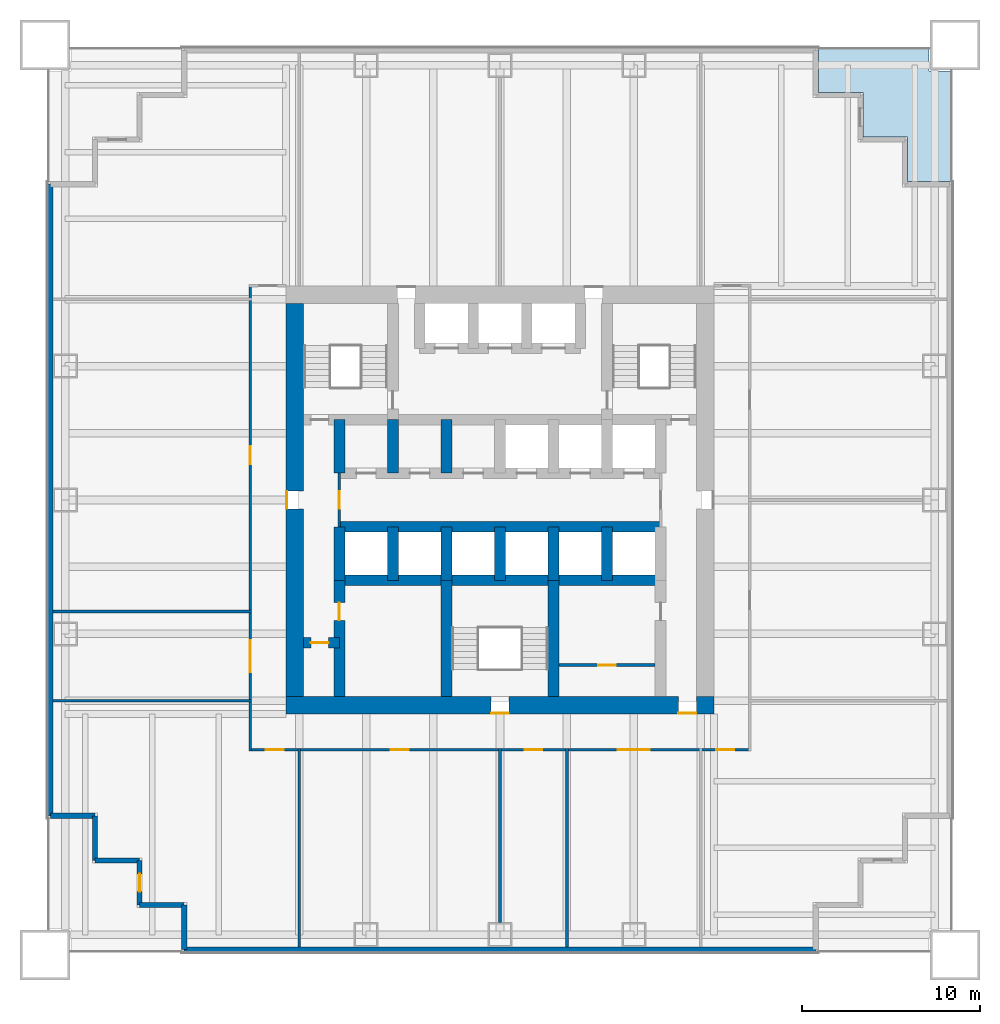
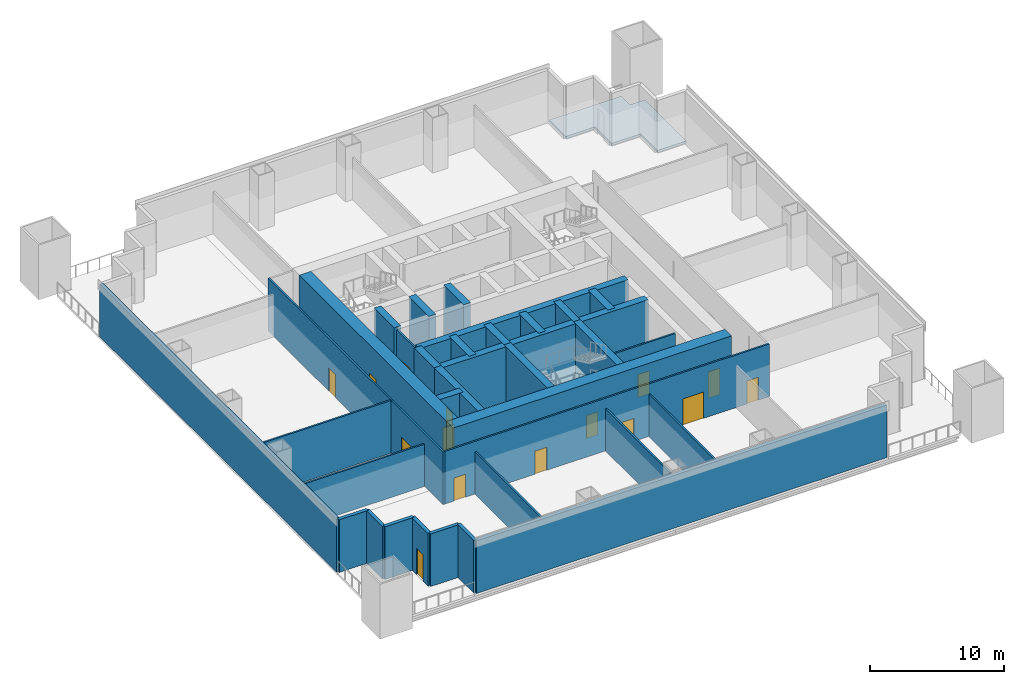
# One storey, part 2 of 6: 34 walls, 15 doors, 1 slab, 15 openings.
"""IFC4 building model written with IfcOpenShell, lengths in metres."""

from ifc_helpers import new_model, si_unit, direction, frame, frame_2d, origin, place, context, subcontext, project, spatial, polyline, rectangle, outline, extrude, material, layer, layer_set, type_object, element, fill, save


model = new_model("IFC4")

# Units and contexts
model_context = context("Model", 3, precision=1e-05, world=origin(), true_north=direction((0.0, 1.0)))
body_context = subcontext(model_context, "Body", "Model", "MODEL_VIEW")
ifc_project = project(units=[si_unit("LENGTHUNIT", "METRE"), si_unit("AREAUNIT", "SQUARE_METRE"), si_unit("VOLUMEUNIT", "CUBIC_METRE"), si_unit("PLANEANGLEUNIT", "RADIAN"), si_unit("MASSUNIT", "GRAM", prefix="KILO")], contexts=[model_context])

# Site, building, storey
site_placement = place(None, origin())
site = spatial("IfcSite", under=ifc_project, at=site_placement, CompositionType="ELEMENT")
building_placement = place(site_placement, origin())
building = spatial("IfcBuilding", under=site, at=building_placement, Name="Tarangal Relay Tower", CompositionType="ELEMENT")
storey_placement = place(building_placement, frame((0.0, 0.0, 63.39990234375)))
storey = spatial("IfcBuildingStorey", under=building, at=storey_placement, Name="L12", CompositionType="ELEMENT", Elevation=63.39990234375)

# Slab
ifc_material_1 = material(Name="Concrete fc' 35 MPa", Category="concrete")
ifc_layer_1 = layer(ifc_material_1, 0.199951171875)
ifc_layer_set_1 = layer_set([ifc_layer_1], Name="Terrace slab 200")
slab_type = type_object("IfcSlabType", Name="Terrace slab 200", PredefinedType="FLOOR", material=ifc_layer_set_1)
slab_placement = place(storey_placement, frame((0.0, 0.0, -0.199951171875)))
element("IfcSlab", 1, at=slab_placement, inside=storey, type_object=slab_type, Name="Corner terrace NE L12", PredefinedType="FLOOR", context=body_context, shape_type="SweptSolid", body=[
    extrude(outline(polyline([(17.85009765625, 25.35009765625), (17.85009765625, 22.85009765625), (20.35009765625, 22.85009765625), (20.35009765625, 20.35009765625), (22.85009765625, 20.35009765625), (22.85009765625, 17.85009765625), (25.35009765625, 17.85009765625), (25.35009765625, 24.050048828125), (24.050048828125, 24.050048828125), (24.050048828125, 25.35009765625), (17.85009765625, 25.35009765625)])), origin(), (0.0, 0.0, 1.0), 0.199951171875),
])

# Walls
ifc_material_2 = material(Name="Concrete fc' 60 MPa", Category="concrete")
ifc_layer_2 = layer(ifc_material_2, 0.60009765625)
ifc_layer_set_2 = layer_set([ifc_layer_2], Name="Core inner wall 600")
wall_type_1 = type_object("IfcWallType", Name="Core inner wall 600", PredefinedType="SHEAR", material=ifc_layer_set_2)
for number, where, z_axis, x_axis, name in (
    (2, (-9.0, -1.5, 0.0), (0.0, 0.0, 1.0), (1.0, 0.0, 0.0), "Core wall YM15 L12"),
    (3, (-9.0, -4.5, 0.0), (0.0, 0.0, 1.0), (1.0, 0.0, 0.0), "Core wall YM45 L12"),
):
    element("IfcWall", number, at=place(storey_placement, frame(where, z_axis=z_axis, x_axis=x_axis)), inside=storey, type_object=wall_type_1, Name=name, PredefinedType="SHEAR", context=body_context, shape_type="SweptSolid", body=[
        extrude(rectangle(XDim=18.0, YDim=0.60009765625, at=frame_2d((9.0, 0.0))), origin(), (0.0, 0.0, 1.0), 5.0),
    ])

# Wall, opening, door
wall_1_placement = place(storey_placement, frame((-11.0, -8.0, 0.0), z_axis=(0.0, 0.0, 1.0), x_axis=(1.0, 0.0, 0.0)))
wall_1 = element("IfcWall", 4, at=wall_1_placement, inside=storey, type_object=wall_type_1, Name="Core wall YM8 L12", PredefinedType="SHEAR", context=body_context, shape_type="SweptSolid", body=[
    extrude(rectangle(XDim=2.0, YDim=0.60009765625, at=frame_2d((1.0, 0.0))), origin(), (0.0, 0.0, 1.0), 5.0),
])
opening_1_placement = place(wall_1_placement, frame((0.39990234375, 0.0, 0.0)))
opening_1 = element("IfcOpeningElement", 5, at=opening_1_placement, cuts=wall_1, Name="Opening D1", PredefinedType="OPENING", context=body_context, shape_type="SweptSolid", body=[
    extrude(rectangle(XDim=1.0, YDim=2.10009765625, at=frame_2d((0.5, 1.050048828125))), frame((0.0, 0.31005859375, 0.0), z_axis=(0.0, -1.0, 0.0), x_axis=(1.0, 0.0, 0.0)), (0.0, 0.0, 1.0), 0.6201171875),
])
ifc_material_3 = material(Name="Hardwood door", Category="wood")
door_type_1 = type_object("IfcDoorType", Name="WC door 1000 x 2100", OperationType="SINGLE_SWING_LEFT", PredefinedType="DOOR", material=ifc_material_3)
door_1_placement = place(opening_1_placement, origin())
door_1 = element("IfcDoor", 6, at=door_1_placement, inside=storey, type_object=door_type_1, Name="Accessible WC door L12", OperationType="SINGLE_SWING_LEFT", OverallHeight=2.10009765625, OverallWidth=1.0, PredefinedType="DOOR", context=body_context, shape_type="SweptSolid", body=[
    extrude(rectangle(XDim=1.0, YDim=2.10009765625, at=frame_2d((0.5, 1.050048828125))), frame((0.0, 0.02490234375, 0.0), z_axis=(0.0, -1.0, 0.0), x_axis=(1.0, 0.0, 0.0)), (0.0, 0.0, 1.0), 0.050048828125),
])
fill(opening_1, door_1)

# Walls
for number, where, z_axis, x_axis, name in (
    (7, (-9.0, 1.5, 0.0), (0.0, 0.0, 1.0), (0.0, 1.0, 0.0), "Core wall XM9N L12"),
    (8, (-9.0, -4.5, 0.0), (0.0, 0.0, 1.0), (0.0, 1.0, 0.0), "Core wall XM9S L12"),
    (9, (-6.0, 1.5, 0.0), (0.0, 0.0, 1.0), (0.0, 1.0, 0.0), "Core wall XM6N L12"),
    (10, (-3.0, 1.5, 0.0), (0.0, 0.0, 1.0), (0.0, 1.0, 0.0), "Core wall XM3N L12"),
    (11, (-6.0, -4.5, 0.0), (0.0, 0.0, 1.0), (0.0, 1.0, 0.0), "Core wall XM6S L12"),
    (12, (-3.0, -4.5, 0.0), (0.0, 0.0, 1.0), (0.0, 1.0, 0.0), "Core wall XM3S L12"),
    (13, (0.0, -4.5, 0.0), (0.0, 0.0, 1.0), (0.0, 1.0, 0.0), "Core wall X0S L12"),
    (14, (3.0, -4.5, 0.0), (0.0, 0.0, 1.0), (0.0, 1.0, 0.0), "Core wall X3S L12"),
    (15, (6.0, -4.5, 0.0), (0.0, 0.0, 1.0), (0.0, 1.0, 0.0), "Core wall X6S L12"),
):
    element("IfcWall", number, at=place(storey_placement, frame(where, z_axis=z_axis, x_axis=x_axis)), inside=storey, type_object=wall_type_1, Name=name, PredefinedType="SHEAR", context=body_context, shape_type="SweptSolid", body=[
        extrude(rectangle(XDim=3.0, YDim=0.60009765625, at=frame_2d((1.5, 0.0))), origin(), (0.0, 0.0, 1.0), 5.0),
    ])

# Wall, opening, door
wall_2_placement = place(storey_placement, frame((-9.0, -11.0, 0.0), z_axis=(0.0, 0.0, 1.0), x_axis=(0.0, 1.0, 0.0)))
wall_2 = element("IfcWall", 16, at=wall_2_placement, inside=storey, type_object=wall_type_1, Name="Core wall XM9W L12", PredefinedType="SHEAR", context=body_context, shape_type="SweptSolid", body=[
    extrude(rectangle(XDim=6.5, YDim=0.60009765625, at=frame_2d((3.25, 0.0))), origin(), (0.0, 0.0, 1.0), 5.0),
])
opening_2_placement = place(wall_2_placement, frame((4.25, 0.0, 0.0)))
opening_2 = element("IfcOpeningElement", 17, at=opening_2_placement, cuts=wall_2, Name="Opening D1", PredefinedType="OPENING", context=body_context, shape_type="SweptSolid", body=[
    extrude(rectangle(XDim=1.0, YDim=2.10009765625, at=frame_2d((0.5, 1.050048828125))), frame((0.0, 0.31005859375, 0.0), z_axis=(0.0, -1.0, 0.0), x_axis=(1.0, 0.0, 0.0)), (0.0, 0.0, 1.0), 0.6201171875),
])
door_2_placement = place(opening_2_placement, origin())
door_2 = element("IfcDoor", 18, at=door_2_placement, inside=storey, type_object=door_type_1, Name="Male WC door L12", OperationType="SINGLE_SWING_LEFT", OverallHeight=2.10009765625, OverallWidth=1.0, PredefinedType="DOOR", context=body_context, shape_type="SweptSolid", body=[
    extrude(rectangle(XDim=1.0, YDim=2.10009765625, at=frame_2d((0.5, 1.050048828125))), frame((0.0, 0.02490234375, 0.0), z_axis=(0.0, -1.0, 0.0), x_axis=(1.0, 0.0, 0.0)), (0.0, 0.0, 1.0), 0.050048828125),
])
fill(opening_2, door_2)

# Walls
for number, where, z_axis, x_axis, name in (
    (19, (-3.0, -11.0, 0.0), (0.0, 0.0, 1.0), (0.0, 1.0, 0.0), "Core wall XM3W L12"),
    (20, (3.0, -11.0, 0.0), (0.0, 0.0, 1.0), (0.0, 1.0, 0.0), "Core wall X3W L12"),
):
    element("IfcWall", number, at=place(storey_placement, frame(where, z_axis=z_axis, x_axis=x_axis)), inside=storey, type_object=wall_type_1, Name=name, PredefinedType="SHEAR", context=body_context, shape_type="SweptSolid", body=[
        extrude(rectangle(XDim=6.5, YDim=0.60009765625, at=frame_2d((3.25, 0.0))), origin(), (0.0, 0.0, 1.0), 5.0),
    ])

# Wall, openings, doors
ifc_layer_3 = layer(ifc_material_2, 1.0)
ifc_layer_set_3 = layer_set([ifc_layer_3], Name="Core wall 1000")
wall_type_2 = type_object("IfcWallType", Name="Core wall 1000", PredefinedType="SHEAR", material=ifc_layer_set_3)
wall_3_placement = place(storey_placement, frame((12.0, -11.5, 0.0), z_axis=(0.0, 0.0, 1.0), x_axis=(-1.0, 0.0, 0.0)))
wall_3 = element("IfcWall", 21, at=wall_3_placement, inside=storey, type_object=wall_type_2, Name="Core wall S L12", PredefinedType="SHEAR", context=body_context, shape_type="SweptSolid", body=[
    extrude(rectangle(XDim=24.0, YDim=1.0, at=frame_2d((12.0, 0.0))), origin(), (0.0, 0.0, 1.0), 5.0),
])
opening_3_placement = place(wall_3_placement, frame((11.5, 0.0, 0.0)))
opening_3 = element("IfcOpeningElement", 22, at=opening_3_placement, cuts=wall_3, Name="Opening FD1", PredefinedType="OPENING", context=body_context, shape_type="SweptSolid", body=[
    extrude(rectangle(XDim=1.0, YDim=2.10009765625, at=frame_2d((0.5, 1.050048828125))), frame((0.0, 0.510009765625, 0.0), z_axis=(0.0, -1.0, 0.0), x_axis=(1.0, 0.0, 0.0)), (0.0, 0.0, 1.0), 1.02001953125),
])
opening_4_placement = place(wall_3_placement, frame((1.0, 0.0, 0.0)))
opening_4 = element("IfcOpeningElement", 23, at=opening_4_placement, cuts=wall_3, Name="Opening FD3", PredefinedType="OPENING", context=body_context, shape_type="SweptSolid", body=[
    extrude(rectangle(XDim=1.0, YDim=2.39990234375, at=frame_2d((0.5, 1.199951171875))), frame((0.0, 0.510009765625, 0.0), z_axis=(0.0, -1.0, 0.0), x_axis=(1.0, 0.0, 0.0)), (0.0, 0.0, 1.0), 1.02001953125),
])
ifc_material_4 = material(Name="Steel door with hardwood frame", Category="steel")
door_type_2 = type_object("IfcDoorType", Name="Fire door 1000 x 2100", OperationType="SINGLE_SWING_LEFT", PredefinedType="DOOR", material=ifc_material_4)
door_3_placement = place(opening_3_placement, origin())
door_3 = element("IfcDoor", 24, at=door_3_placement, inside=storey, type_object=door_type_2, Name="Stair ST-C door L12", OperationType="SINGLE_SWING_LEFT", OverallHeight=2.10009765625, OverallWidth=1.0, PredefinedType="DOOR", context=body_context, shape_type="SweptSolid", body=[
    extrude(rectangle(XDim=1.0, YDim=2.10009765625, at=frame_2d((0.5, 1.050048828125))), frame((0.0, 0.48486328125, 0.0), z_axis=(0.0, -1.0, 0.0), x_axis=(1.0, 0.0, 0.0)), (0.0, 0.0, 1.0), 0.050048828125),
])
fill(opening_3, door_3)
door_type_3 = type_object("IfcDoorType", Name="Fire door 1000 x 2400 core entry", OperationType="SINGLE_SWING_RIGHT", PredefinedType="DOOR", material=ifc_material_4)
door_4_placement = place(opening_4_placement, origin())
door_4 = element("IfcDoor", 25, at=door_4_placement, inside=storey, type_object=door_type_3, Name="Core entry door south east L12", OperationType="SINGLE_SWING_RIGHT", OverallHeight=2.39990234375, OverallWidth=1.0, PredefinedType="DOOR", context=body_context, shape_type="SweptSolid", body=[
    extrude(rectangle(XDim=1.0, YDim=2.39990234375, at=frame_2d((0.5, 1.199951171875))), frame((0.0, 0.48486328125, 0.0), z_axis=(0.0, -1.0, 0.0), x_axis=(1.0, 0.0, 0.0)), (0.0, 0.0, 1.0), 0.050048828125),
])
fill(opening_4, door_4)

# Wall, opening, door
wall_4_placement = place(storey_placement, frame((-11.5, -11.0, 0.0), z_axis=(0.0, 0.0, 1.0), x_axis=(0.0, 1.0, 0.0)))
wall_4 = element("IfcWall", 26, at=wall_4_placement, inside=storey, type_object=wall_type_2, Name="Core wall W L12", PredefinedType="SHEAR", context=body_context, shape_type="SweptSolid", body=[
    extrude(rectangle(XDim=22.0, YDim=1.0, at=frame_2d((11.0, 0.0))), origin(), (0.0, 0.0, 1.0), 5.0),
])
opening_5_placement = place(wall_4_placement, frame((10.5, 0.0, 0.0)))
opening_5 = element("IfcOpeningElement", 27, at=opening_5_placement, cuts=wall_4, Name="Opening FD3", PredefinedType="OPENING", context=body_context, shape_type="SweptSolid", body=[
    extrude(rectangle(XDim=1.0, YDim=2.39990234375, at=frame_2d((0.5, 1.199951171875))), frame((0.0, 0.510009765625, 0.0), z_axis=(0.0, -1.0, 0.0), x_axis=(1.0, 0.0, 0.0)), (0.0, 0.0, 1.0), 1.02001953125),
])
door_5_placement = place(opening_5_placement, origin())
door_5 = element("IfcDoor", 28, at=door_5_placement, inside=storey, type_object=door_type_3, Name="Core entry door west L12", OperationType="SINGLE_SWING_RIGHT", OverallHeight=2.39990234375, OverallWidth=1.0, PredefinedType="DOOR", context=body_context, shape_type="SweptSolid", body=[
    extrude(rectangle(XDim=1.0, YDim=2.39990234375, at=frame_2d((0.5, 1.199951171875))), frame((0.0, 0.48486328125, 0.0), z_axis=(0.0, -1.0, 0.0), x_axis=(1.0, 0.0, 0.0)), (0.0, 0.0, 1.0), 0.050048828125),
])
fill(opening_5, door_5)

# Walls
ifc_material_5 = material(Name="Insulated precast concrete fc' 40 MPa", Category="concrete")
ifc_layer_4 = layer(ifc_material_5, 0.300048828125)
ifc_layer_set_4 = layer_set([ifc_layer_4], Name="Insulated precast concrete fc' 40 MPa")
wall_type_3 = type_object("IfcWallType", Name="Facade wall precast 300", PredefinedType="SOLIDWALL", material=ifc_layer_set_4)
wall_5_placement = place(storey_placement, frame((17.699951171875, -25.199951171875, 0.0), z_axis=(0.0, 0.0, 1.0), x_axis=(-1.0, 0.0, 0.0)))
element("IfcWall", 29, at=wall_5_placement, inside=storey, type_object=wall_type_3, Name="Facade wall S facade L12", PredefinedType="SOLIDWALL", context=body_context, shape_type="SweptSolid", body=[
    extrude(rectangle(XDim=35.39990234375, YDim=0.300048828125, at=frame_2d((17.699951171875, 0.0))), origin(), (0.0, 0.0, 1.0), 4.800048828125),
])
for number, where, z_axis, x_axis, name in (
    (30, (-17.699951171875, -25.199951171875, 0.0), (0.0, 0.0, 1.0), (0.0, 1.0, 0.0), "Facade wall S facade L12"),
    (31, (-17.699951171875, -22.699951171875, 0.0), (0.0, 0.0, 1.0), (-1.0, 0.0, 0.0), "Facade wall S facade L12"),
):
    element("IfcWall", number, at=place(storey_placement, frame(where, z_axis=z_axis, x_axis=x_axis)), inside=storey, type_object=wall_type_3, Name=name, PredefinedType="SOLIDWALL", context=body_context, shape_type="SweptSolid", body=[
        extrude(rectangle(XDim=2.5, YDim=0.300048828125, at=frame_2d((1.25, 0.0))), origin(), (0.0, 0.0, 1.0), 4.800048828125),
    ])

# Wall, opening, door
wall_6_placement = place(storey_placement, frame((-20.199951171875, -22.699951171875, 0.0), z_axis=(0.0, 0.0, 1.0), x_axis=(0.0, 1.0, 0.0)))
wall_6 = element("IfcWall", 32, at=wall_6_placement, inside=storey, type_object=wall_type_3, Name="Facade wall S facade L12", PredefinedType="SOLIDWALL", context=body_context, shape_type="SweptSolid", body=[
    extrude(rectangle(XDim=2.5, YDim=0.300048828125, at=frame_2d((1.25, 0.0))), origin(), (0.0, 0.0, 1.0), 4.800048828125),
])
opening_6_placement = place(wall_6_placement, frame((0.75, 0.0, 0.0)))
opening_6 = element("IfcOpeningElement", 33, at=opening_6_placement, cuts=wall_6, Name="Opening TD1", PredefinedType="OPENING", context=body_context, shape_type="SweptSolid", body=[
    extrude(rectangle(XDim=1.0, YDim=2.39990234375, at=frame_2d((0.5, 1.199951171875))), frame((0.0, 0.159912109375, 0.0), z_axis=(0.0, -1.0, 0.0), x_axis=(1.0, 0.0, 0.0)), (0.0, 0.0, 1.0), 0.320068359375),
])
ifc_material_6 = material(Name="Aluminium glazed door", Category="aluminium")
door_type_4 = type_object("IfcDoorType", Name="Terrace door 1000 x 2400", OperationType="SINGLE_SWING_RIGHT", PredefinedType="DOOR", material=ifc_material_6)
door_6_placement = place(opening_6_placement, origin())
door_6 = element("IfcDoor", 34, at=door_6_placement, inside=storey, type_object=door_type_4, Name="Terrace door TD1 SW L12", OperationType="SINGLE_SWING_RIGHT", OverallHeight=2.39990234375, OverallWidth=1.0, PredefinedType="DOOR", context=body_context, shape_type="SweptSolid", body=[
    extrude(rectangle(XDim=1.0, YDim=2.39990234375, at=frame_2d((0.5, 1.199951171875))), frame((0.0, 0.02490234375, 0.0), z_axis=(0.0, -1.0, 0.0), x_axis=(1.0, 0.0, 0.0)), (0.0, 0.0, 1.0), 0.050048828125),
])
fill(opening_6, door_6)

# Walls
for number, where, z_axis, x_axis, name in (
    (35, (-20.199951171875, -20.199951171875, 0.0), (0.0, 0.0, 1.0), (-1.0, 0.0, 0.0), "Facade wall S facade L12"),
    (36, (-22.699951171875, -20.199951171875, 0.0), (0.0, 0.0, 1.0), (0.0, 1.0, 0.0), "Facade wall S facade L12"),
    (37, (-22.699951171875, -17.699951171875, 0.0), (0.0, 0.0, 1.0), (-1.0, 0.0, 0.0), "Facade wall S facade L12"),
):
    element("IfcWall", number, at=place(storey_placement, frame(where, z_axis=z_axis, x_axis=x_axis)), inside=storey, type_object=wall_type_3, Name=name, PredefinedType="SOLIDWALL", context=body_context, shape_type="SweptSolid", body=[
        extrude(rectangle(XDim=2.5, YDim=0.300048828125, at=frame_2d((1.25, 0.0))), origin(), (0.0, 0.0, 1.0), 4.800048828125),
    ])
wall_7_placement = place(storey_placement, frame((-25.199951171875, -17.699951171875, 0.0), z_axis=(0.0, 0.0, 1.0), x_axis=(0.0, 1.0, 0.0)))
element("IfcWall", 38, at=wall_7_placement, inside=storey, type_object=wall_type_3, Name="Facade wall W facade L12", PredefinedType="SOLIDWALL", context=body_context, shape_type="SweptSolid", body=[
    extrude(rectangle(XDim=35.39990234375, YDim=0.300048828125, at=frame_2d((17.699951171875, 0.0))), origin(), (0.0, 0.0, 1.0), 4.800048828125),
])

# Wall, openings, doors
ifc_material_7 = material(Name="Gypsum board on steel studs", Category="steel")
ifc_layer_5 = layer(ifc_material_7, 0.14990234375)
ifc_layer_set_5 = layer_set([ifc_layer_5], Name="Partition 150")
wall_type_4 = type_object("IfcWallType", Name="Partition 150", PredefinedType="PARTITIONING", material=ifc_layer_set_5)
wall_8_placement = place(storey_placement, frame((-14.074951171875, -14.0, 0.0), z_axis=(0.0, 0.0, 1.0), x_axis=(1.0, 0.0, 0.0)))
wall_8 = element("IfcWall", 39, at=wall_8_placement, inside=storey, type_object=wall_type_4, Name="Partition PT1 L12", PredefinedType="PARTITIONING", context=body_context, shape_type="SweptSolid", body=[
    extrude(rectangle(XDim=28.14990234375, YDim=0.14990234375, at=frame_2d((14.074951171875, 0.0))), origin(), (0.0, 0.0, 1.0), 4.800048828125),
])
opening_7_placement = place(wall_8_placement, frame((20.675048828125, 0.0, 0.0)))
opening_7 = element("IfcOpeningElement", 40, at=opening_7_placement, cuts=wall_8, Name="Opening DD1", PredefinedType="OPENING", context=body_context, shape_type="SweptSolid", body=[
    extrude(rectangle(XDim=1.800048828125, YDim=2.39990234375, at=frame_2d((0.89990234375, 1.199951171875))), frame((0.0, 0.0849609375, 0.0), z_axis=(0.0, -1.0, 0.0), x_axis=(1.0, 0.0, 0.0)), (0.0, 0.0, 1.0), 0.169921875),
])
opening_8_placement = place(wall_8_placement, frame((15.449951171875, 0.0, 0.0)))
opening_8 = element("IfcOpeningElement", 41, at=opening_8_placement, cuts=wall_8, Name="Opening D2", PredefinedType="OPENING", context=body_context, shape_type="SweptSolid", body=[
    extrude(rectangle(XDim=1.0, YDim=2.10009765625, at=frame_2d((0.5, 1.050048828125))), frame((0.0, 0.0849609375, 0.0), z_axis=(0.0, -1.0, 0.0), x_axis=(1.0, 0.0, 0.0)), (0.0, 0.0, 1.0), 0.169921875),
])
opening_9_placement = place(wall_8_placement, frame((7.949951171875, 0.0, 0.0)))
opening_9 = element("IfcOpeningElement", 42, at=opening_9_placement, cuts=wall_8, Name="Opening D2", PredefinedType="OPENING", context=body_context, shape_type="SweptSolid", body=[
    extrude(rectangle(XDim=1.0, YDim=2.10009765625, at=frame_2d((0.5, 1.050048828125))), frame((0.0, 0.0849609375, 0.0), z_axis=(0.0, -1.0, 0.0), x_axis=(1.0, 0.0, 0.0)), (0.0, 0.0, 1.0), 0.169921875),
])
opening_10_placement = place(wall_8_placement, frame((26.199951171875, 0.0, 0.0)))
opening_10 = element("IfcOpeningElement", 43, at=opening_10_placement, cuts=wall_8, Name="Opening D2", PredefinedType="OPENING", context=body_context, shape_type="SweptSolid", body=[
    extrude(rectangle(XDim=1.0, YDim=2.10009765625, at=frame_2d((0.5, 1.050048828125))), frame((0.0, 0.0849609375, 0.0), z_axis=(0.0, -1.0, 0.0), x_axis=(1.0, 0.0, 0.0)), (0.0, 0.0, 1.0), 0.169921875),
])
opening_11_placement = place(wall_8_placement, frame((0.949951171875, 0.0, 0.0)))
opening_11 = element("IfcOpeningElement", 44, at=opening_11_placement, cuts=wall_8, Name="Opening D2", PredefinedType="OPENING", context=body_context, shape_type="SweptSolid", body=[
    extrude(rectangle(XDim=1.0, YDim=2.10009765625, at=frame_2d((0.5, 1.050048828125))), frame((0.0, 0.0849609375, 0.0), z_axis=(0.0, -1.0, 0.0), x_axis=(1.0, 0.0, 0.0)), (0.0, 0.0, 1.0), 0.169921875),
])
door_type_5 = type_object("IfcDoorType", Name="Door 1000 x 2100", OperationType="SINGLE_SWING_LEFT", PredefinedType="DOOR", material=ifc_material_3)
door_7_placement = place(opening_8_placement, origin())
door_7 = element("IfcDoor", 45, at=door_7_placement, inside=storey, type_object=door_type_5, Name="Door D2 to customer meeting room L12-07", OperationType="SINGLE_SWING_LEFT", OverallHeight=2.10009765625, OverallWidth=1.0, PredefinedType="DOOR", context=body_context, shape_type="SweptSolid", body=[
    extrude(rectangle(XDim=1.0, YDim=2.10009765625, at=frame_2d((0.5, 1.050048828125))), frame((0.0, 0.02490234375, 0.0), z_axis=(0.0, -1.0, 0.0), x_axis=(1.0, 0.0, 0.0)), (0.0, 0.0, 1.0), 0.050048828125),
])
fill(opening_8, door_7)
door_8_placement = place(opening_9_placement, origin())
door_8 = element("IfcDoor", 46, at=door_8_placement, inside=storey, type_object=door_type_5, Name="Door D2 to customer build and test room L12-08", OperationType="SINGLE_SWING_LEFT", OverallHeight=2.10009765625, OverallWidth=1.0, PredefinedType="DOOR", context=body_context, shape_type="SweptSolid", body=[
    extrude(rectangle(XDim=1.0, YDim=2.10009765625, at=frame_2d((0.5, 1.050048828125))), frame((0.0, 0.02490234375, 0.0), z_axis=(0.0, -1.0, 0.0), x_axis=(1.0, 0.0, 0.0)), (0.0, 0.0, 1.0), 0.050048828125),
])
fill(opening_9, door_8)
door_9_placement = place(opening_10_placement, origin())
door_9 = element("IfcDoor", 47, at=door_9_placement, inside=storey, type_object=door_type_5, Name="Door D2 to engineering office L12-12", OperationType="SINGLE_SWING_LEFT", OverallHeight=2.10009765625, OverallWidth=1.0, PredefinedType="DOOR", context=body_context, shape_type="SweptSolid", body=[
    extrude(rectangle(XDim=1.0, YDim=2.10009765625, at=frame_2d((0.5, 1.050048828125))), frame((0.0, 0.02490234375, 0.0), z_axis=(0.0, -1.0, 0.0), x_axis=(1.0, 0.0, 0.0)), (0.0, 0.0, 1.0), 0.050048828125),
])
fill(opening_10, door_9)
door_10_placement = place(opening_11_placement, origin())
door_10 = element("IfcDoor", 48, at=door_10_placement, inside=storey, type_object=door_type_5, Name="Door D2 to security office L12-13", OperationType="SINGLE_SWING_LEFT", OverallHeight=2.10009765625, OverallWidth=1.0, PredefinedType="DOOR", context=body_context, shape_type="SweptSolid", body=[
    extrude(rectangle(XDim=1.0, YDim=2.10009765625, at=frame_2d((0.5, 1.050048828125))), frame((0.0, 0.02490234375, 0.0), z_axis=(0.0, -1.0, 0.0), x_axis=(1.0, 0.0, 0.0)), (0.0, 0.0, 1.0), 0.050048828125),
])
fill(opening_11, door_10)
door_type_6 = type_object("IfcDoorType", Name="Equipment double door 1800 x 2400", OperationType="DOUBLE_DOOR_SINGLE_SWING", PredefinedType="DOOR", material=ifc_material_4)
door_11_placement = place(opening_7_placement, origin())
door_11 = element("IfcDoor", 49, at=door_11_placement, inside=storey, type_object=door_type_6, Name="Door DD1 to electrical room L12-06", OperationType="DOUBLE_DOOR_SINGLE_SWING", OverallHeight=2.39990234375, OverallWidth=1.800048828125, PredefinedType="DOOR", context=body_context, shape_type="SweptSolid", body=[
    extrude(rectangle(XDim=1.800048828125, YDim=2.39990234375, at=frame_2d((0.89990234375, 1.199951171875))), frame((0.0, 0.02490234375, 0.0), z_axis=(0.0, -1.0, 0.0), x_axis=(1.0, 0.0, 0.0)), (0.0, 0.0, 1.0), 0.050048828125),
])
fill(opening_7, door_11)

# Walls
wall_9_placement = place(storey_placement, frame((-25.050048828125, -11.25, 0.0), z_axis=(0.0, 0.0, 1.0), x_axis=(1.0, 0.0, 0.0)))
element("IfcWall", 50, at=wall_9_placement, inside=storey, type_object=wall_type_4, Name="Partition PT1 L12", PredefinedType="PARTITIONING", context=body_context, shape_type="SweptSolid", body=[
    extrude(rectangle(XDim=11.125, YDim=0.14990234375, at=frame_2d((5.5625, 0.0))), origin(), (0.0, 0.0, 1.0), 3.852783203125),
])
wall_10_placement = place(storey_placement, frame((-25.050048828125, -6.25, 0.0), z_axis=(0.0, 0.0, 1.0), x_axis=(1.0, 0.0, 0.0)))
element("IfcWall", 51, at=wall_10_placement, inside=storey, type_object=wall_type_4, Name="Partition PT1 L12", PredefinedType="PARTITIONING", context=body_context, shape_type="SweptSolid", body=[
    extrude(rectangle(XDim=11.125, YDim=0.14990234375, at=frame_2d((5.5625, 0.0))), origin(), (0.0, 0.0, 1.0), 4.800048828125),
])

# Wall, openings, doors
wall_11_placement = place(storey_placement, frame((-14.0, -14.074951171875, 0.0), z_axis=(0.0, 0.0, 1.0), x_axis=(0.0, 1.0, 0.0)))
wall_11 = element("IfcWall", 52, at=wall_11_placement, inside=storey, type_object=wall_type_4, Name="Partition PT1 L12", PredefinedType="PARTITIONING", context=body_context, shape_type="SweptSolid", body=[
    extrude(rectangle(XDim=26.14990234375, YDim=0.14990234375, at=frame_2d((13.074951171875, 0.0))), origin(), (0.0, 0.0, 1.0), 4.800048828125),
])
opening_12_placement = place(wall_11_placement, frame((4.425048828125, 0.0, 0.0)))
opening_12 = element("IfcOpeningElement", 53, at=opening_12_placement, cuts=wall_11, Name="Opening DD1", PredefinedType="OPENING", context=body_context, shape_type="SweptSolid", body=[
    extrude(rectangle(XDim=1.800048828125, YDim=2.39990234375, at=frame_2d((0.89990234375, 1.199951171875))), frame((0.0, 0.0849609375, 0.0), z_axis=(0.0, -1.0, 0.0), x_axis=(1.0, 0.0, 0.0)), (0.0, 0.0, 1.0), 0.169921875),
])
opening_13_placement = place(wall_11_placement, frame((16.074951171875, 0.0, 0.0)))
opening_13 = element("IfcOpeningElement", 54, at=opening_13_placement, cuts=wall_11, Name="Opening D2", PredefinedType="OPENING", context=body_context, shape_type="SweptSolid", body=[
    extrude(rectangle(XDim=1.0, YDim=2.10009765625, at=frame_2d((0.5, 1.050048828125))), frame((0.0, 0.0849609375, 0.0), z_axis=(0.0, -1.0, 0.0), x_axis=(1.0, 0.0, 0.0)), (0.0, 0.0, 1.0), 0.169921875),
])
door_12_placement = place(opening_13_placement, origin())
door_12 = element("IfcDoor", 55, at=door_12_placement, inside=storey, type_object=door_type_5, Name="Door D2 to customer office L12-10", OperationType="SINGLE_SWING_LEFT", OverallHeight=2.10009765625, OverallWidth=1.0, PredefinedType="DOOR", context=body_context, shape_type="SweptSolid", body=[
    extrude(rectangle(XDim=1.0, YDim=2.10009765625, at=frame_2d((0.5, 1.050048828125))), frame((0.0, 0.02490234375, 0.0), z_axis=(0.0, -1.0, 0.0), x_axis=(1.0, 0.0, 0.0)), (0.0, 0.0, 1.0), 0.050048828125),
])
fill(opening_13, door_12)
door_13_placement = place(opening_12_placement, origin())
door_13 = element("IfcDoor", 56, at=door_13_placement, inside=storey, type_object=door_type_6, Name="Door DD1 to gas suppression cylinder room L12-09", OperationType="DOUBLE_DOOR_SINGLE_SWING", OverallHeight=2.39990234375, OverallWidth=1.800048828125, PredefinedType="DOOR", context=body_context, shape_type="SweptSolid", body=[
    extrude(rectangle(XDim=1.800048828125, YDim=2.39990234375, at=frame_2d((0.89990234375, 1.199951171875))), frame((0.0, 0.02490234375, 0.0), z_axis=(0.0, -1.0, 0.0), x_axis=(1.0, 0.0, 0.0)), (0.0, 0.0, 1.0), 0.050048828125),
])
fill(opening_12, door_13)

# Walls
wall_12_placement = place(storey_placement, frame((-11.25, -25.050048828125, 0.0), z_axis=(0.0, 0.0, 1.0), x_axis=(0.0, 1.0, 0.0)))
element("IfcWall", 57, at=wall_12_placement, inside=storey, type_object=wall_type_4, Name="Partition PT1 L12", PredefinedType="PARTITIONING", context=body_context, shape_type="SweptSolid", body=[
    extrude(rectangle(XDim=11.125, YDim=0.14990234375, at=frame_2d((5.5625, 0.0))), origin(), (0.0, 0.0, 1.0), 3.852783203125),
])
wall_13_placement = place(storey_placement, frame((0.0, -23.68994140625, 0.0), z_axis=(0.0, 0.0, 1.0), x_axis=(0.0, 1.0, 0.0)))
element("IfcWall", 58, at=wall_13_placement, inside=storey, type_object=wall_type_4, Name="Partition PT1 L12", PredefinedType="PARTITIONING", context=body_context, shape_type="SweptSolid", body=[
    extrude(rectangle(XDim=9.764892578125, YDim=0.14990234375, at=frame_2d((4.88232421875, 0.0))), origin(), (0.0, 0.0, 1.0), 3.852783203125),
])
wall_14_placement = place(storey_placement, frame((3.75, -25.050048828125, 0.0), z_axis=(0.0, 0.0, 1.0), x_axis=(0.0, 1.0, 0.0)))
element("IfcWall", 59, at=wall_14_placement, inside=storey, type_object=wall_type_4, Name="Partition PT1 L12", PredefinedType="PARTITIONING", context=body_context, shape_type="SweptSolid", body=[
    extrude(rectangle(XDim=11.125, YDim=0.14990234375, at=frame_2d((5.5625, 0.0))), origin(), (0.0, 0.0, 1.0), 3.852783203125),
])

# Wall, opening, door
wall_15_placement = place(storey_placement, frame((3.300048828125, -9.25, 0.0), z_axis=(0.0, 0.0, 1.0), x_axis=(1.0, 0.0, 0.0)))
wall_15 = element("IfcWall", 60, at=wall_15_placement, inside=storey, type_object=wall_type_4, Name="Partition PT1 L12", PredefinedType="PARTITIONING", context=body_context, shape_type="SweptSolid", body=[
    extrude(rectangle(XDim=5.39990234375, YDim=0.14990234375, at=frame_2d((2.699951171875, 0.0))), origin(), (0.0, 0.0, 1.0), 4.75),
])
opening_14_placement = place(wall_15_placement, frame((2.199951171875, 0.0, 0.0)))
opening_14 = element("IfcOpeningElement", 61, at=opening_14_placement, cuts=wall_15, Name="Opening D1", PredefinedType="OPENING", context=body_context, shape_type="SweptSolid", body=[
    extrude(rectangle(XDim=1.0, YDim=2.10009765625, at=frame_2d((0.5, 1.050048828125))), frame((0.0, 0.0849609375, 0.0), z_axis=(0.0, -1.0, 0.0), x_axis=(1.0, 0.0, 0.0)), (0.0, 0.0, 1.0), 0.169921875),
])
door_14_placement = place(opening_14_placement, origin())
door_14 = element("IfcDoor", 62, at=door_14_placement, inside=storey, type_object=door_type_1, Name="Door D1 to female shower and changing room L12-C10B", OperationType="SINGLE_SWING_LEFT", OverallHeight=2.10009765625, OverallWidth=1.0, PredefinedType="DOOR", context=body_context, shape_type="SweptSolid", body=[
    extrude(rectangle(XDim=1.0, YDim=2.10009765625, at=frame_2d((0.5, 1.050048828125))), frame((0.0, 0.02490234375, 0.0), z_axis=(0.0, -1.0, 0.0), x_axis=(1.0, 0.0, 0.0)), (0.0, 0.0, 1.0), 0.050048828125),
])
fill(opening_14, door_14)

wall_16_placement = place(storey_placement, frame((-9.0, -1.5, 0.0), z_axis=(0.0, 0.0, 1.0), x_axis=(0.0, 1.0, 0.0)))
wall_16 = element("IfcWall", 63, at=wall_16_placement, inside=storey, type_object=wall_type_4, Name="Partition PT1 L12", PredefinedType="PARTITIONING", context=body_context, shape_type="SweptSolid", body=[
    extrude(rectangle(XDim=3.0, YDim=0.14990234375, at=frame_2d((1.5, 0.0))), origin(), (0.0, 0.0, 1.0), 4.75),
])
opening_15_placement = place(wall_16_placement, frame((1.0, 0.0, 0.0)))
opening_15 = element("IfcOpeningElement", 64, at=opening_15_placement, cuts=wall_16, Name="Opening FD3", PredefinedType="OPENING", context=body_context, shape_type="SweptSolid", body=[
    extrude(rectangle(XDim=1.0, YDim=2.39990234375, at=frame_2d((0.5, 1.199951171875))), frame((0.0, 0.0849609375, 0.0), z_axis=(0.0, -1.0, 0.0), x_axis=(1.0, 0.0, 0.0)), (0.0, 0.0, 1.0), 0.169921875),
])
door_15_placement = place(opening_15_placement, origin())
door_15 = element("IfcDoor", 65, at=door_15_placement, inside=storey, type_object=door_type_3, Name="Lift lobby door FD3 to the west corridor L12", OperationType="SINGLE_SWING_RIGHT", OverallHeight=2.39990234375, OverallWidth=1.0, PredefinedType="DOOR", context=body_context, shape_type="SweptSolid", body=[
    extrude(rectangle(XDim=1.0, YDim=2.39990234375, at=frame_2d((0.5, 1.199951171875))), frame((0.0, 0.02490234375, 0.0), z_axis=(0.0, -1.0, 0.0), x_axis=(1.0, 0.0, 0.0)), (0.0, 0.0, 1.0), 0.050048828125),
])
fill(opening_15, door_15)

save(model, "model.ifc")
